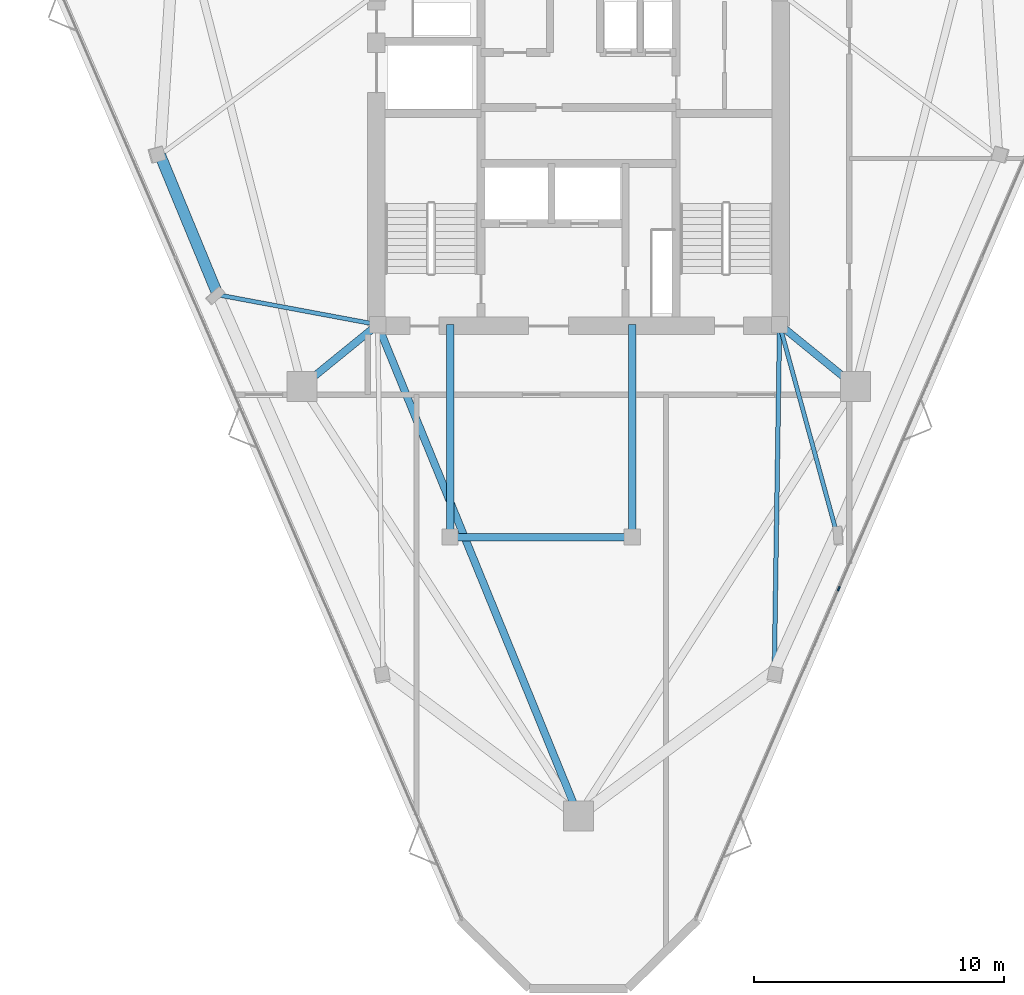
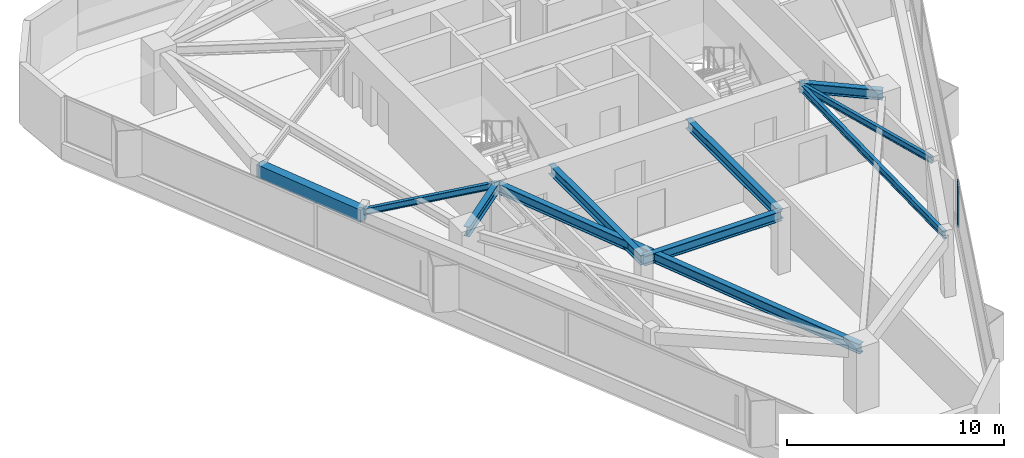
# One storey, part 3 of 12: 10 beams, 1 member, 1 element without a shape of its own.
"""IFC4 building model written with IfcOpenShell, lengths in metres."""

from ifc_helpers import new_model, si_unit, direction, frame, origin, origin_2d, place, context, subcontext, project, spatial, rectangle, i_section, extrude, material, layer, layer_set, material_profile, profile_set, type_object, element, aggregate, save


model = new_model("IFC4")

# Units and contexts
model_context = context("Model", 3, precision=1e-05, world=origin(), true_north=direction((0.0, 1.0)))
body_context = subcontext(model_context, "Body", "Model", "MODEL_VIEW")
ifc_project = project(units=[si_unit("LENGTHUNIT", "METRE"), si_unit("AREAUNIT", "SQUARE_METRE"), si_unit("VOLUMEUNIT", "CUBIC_METRE"), si_unit("PLANEANGLEUNIT", "RADIAN"), si_unit("MASSUNIT", "GRAM", prefix="KILO")], contexts=[model_context])

# Site, building, storey
site_placement = place(None, origin())
site = spatial("IfcSite", under=ifc_project, at=site_placement, CompositionType="ELEMENT")
building_placement = place(site_placement, origin())
building = spatial("IfcBuilding", under=site, at=building_placement, Name="Talyreon Biosciences Tower", CompositionType="ELEMENT")
storey_placement = place(building_placement, frame((0.0, 0.0, 268.10009765625)))
storey = spatial("IfcBuildingStorey", under=building, at=storey_placement, Name="L71", CompositionType="ELEMENT", Elevation=268.10009765625)

# Curtain wall, member
ifc_material_1 = material(Name="Thermally broken aluminium and low-E glazing", Category="aluminium")
ifc_layer = layer(ifc_material_1, 0.175048828125)
ifc_layer_set = layer_set([ifc_layer], Name="Thermally broken aluminium and low-E glazing")
curtain_wall_type = type_object("IfcCurtainWallType", Name="CurtainWall_Zone5CompLab", PredefinedType="NOTDEFINED", material=ifc_layer_set)
curtain_wall_placement = place(storey_placement, origin())
curtain_wall = element("IfcCurtainWall", 1, at=curtain_wall_placement, inside=storey, type_object=curtain_wall_type, Name="L71 Unitised Curtain Wall FCW-L71-08", PredefinedType="NOTDEFINED")
ifc_material_2 = material(Name="Anodised thermally broken aluminium", Category="aluminium")
ifc_material_profile_1 = material_profile(ifc_material_2, rectangle(XDim=0.06494140625, YDim=0.179931640625, at=origin_2d()), Name="ALUM MULLION 65x180")
ifc_profile_set_1 = profile_set([ifc_material_profile_1], Name="Anodised thermally broken aluminium")
member_type = type_object("IfcMemberType", Name="CWMullion_65x180", PredefinedType="MULLION", material=ifc_profile_set_1)
member_placement = place(storey_placement, frame((76.423828125, 50.77490234375, 0.809814453125), z_axis=(0.0, 0.0, 1.0), x_axis=(0.917867616895, -0.396886681377, 0.0)))
member = element("IfcMember", 2, at=member_placement, type_object=member_type, Name="CW6 mullion 3", PredefinedType="MULLION", context=body_context, shape_type="SweptSolid", body=[
    extrude(rectangle(XDim=0.06494140625, YDim=0.179931640625, at=origin_2d()), origin(), (0.0, 0.0, 1.0), 2.590087890625),
])
aggregate(curtain_wall, [member])

# Beams
ifc_material_3 = material(Name="Precast concrete C45/55", Category="concrete")
ifc_material_profile_2 = material_profile(ifc_material_3, rectangle(XDim=0.449951171875, YDim=0.699951171875, at=origin_2d()), Name="RCB 450x700")
ifc_profile_set_2 = profile_set([ifc_material_profile_2], Name="Precast concrete C45/55")
beam_type_1 = type_object("IfcBeamType", Name="ExpressedSpandrel_450x700", PredefinedType="SPANDREL", material=ifc_profile_set_2)
beam_1_placement = place(storey_placement, frame((49.231201171875, 68.14501953125, 3.0498046875), z_axis=(0.3816576269, -0.924303768157, 0.0), x_axis=(0.924303768157, 0.3816576269, 0.0)))
element("IfcBeam", 3, at=beam_1_placement, inside=storey, type_object=beam_type_1, Name="L71 Expressed Horizontal Concrete Spandrel 10", PredefinedType="SPANDREL", context=body_context, shape_type="SweptSolid", body=[
    extrude(rectangle(XDim=0.449951171875, YDim=0.699951171875, at=origin_2d()), origin(), (0.0, 0.0, 1.0), 6.058349609375),
])
ifc_material_4 = material(Name="Steel SM355", Category="steel")
ifc_material_profile_3 = material_profile(ifc_material_4, i_section(OverallWidth=0.300048828125, OverallDepth=0.550048828125, WebThickness=0.014892578125, FlangeThickness=0.029052734375, FilletRadius=0.027099609375, at=origin_2d()), Name="HE550B")
ifc_profile_set_3 = profile_set([ifc_material_profile_3], Name="Steel SM355")
beam_type_2 = type_object("IfcBeamType", Name="SteelBeam_HE550B", PredefinedType="BEAM", material=ifc_profile_set_3)
beam_2_placement = place(storey_placement, frame((57.949951171875, 61.35009765625, 3.125), z_axis=(0.378547014545, -0.925582064314, 0.0), x_axis=(0.925582064314, 0.378547014545, 0.0)))
element("IfcBeam", 4, at=beam_2_placement, inside=storey, type_object=beam_type_2, Name="L71 Radial Primary Girder 1", PredefinedType="BEAM", context=body_context, shape_type="SweptSolid", body=[
    extrude(i_section(OverallWidth=0.300048828125, OverallDepth=0.550048828125, WebThickness=0.014892578125, FlangeThickness=0.029052734375, FilletRadius=0.027099609375, at=origin_2d()), origin(), (0.0, 0.0, 1.0), 21.265625),
])
for number, where, z_axis, x_axis, name in (
    (5, (74.050048828125, 61.35009765625, 3.125), (0.775755154013, -0.631034025249, 0.0), (0.631034025249, 0.775755154013, 0.0), "L71 Radial Primary Girder 2"),
    (6, (57.949951171875, 61.35009765625, 3.125), (-0.775755154013, -0.631034025249, 0.0), (0.631034025249, -0.775755154013, 0.0), "L71 Radial Primary Girder 6"),
):
    element("IfcBeam", number, at=place(storey_placement, frame(where, z_axis=z_axis, x_axis=x_axis)), inside=storey, type_object=beam_type_2, Name=name, PredefinedType="BEAM", context=body_context, shape_type="SweptSolid", body=[
        extrude(i_section(OverallWidth=0.300048828125, OverallDepth=0.550048828125, WebThickness=0.014892578125, FlangeThickness=0.029052734375, FilletRadius=0.027099609375, at=origin_2d()), origin(), (0.0, 0.0, 1.0), 3.913818359375),
    ])
beam_3_placement = place(storey_placement, frame((60.85009765625, 52.840087890625, 3.125), z_axis=(1.0, 0.0, 0.0), x_axis=(0.0, 1.0, 0.0)))
element("IfcBeam", 7, at=beam_3_placement, inside=storey, type_object=beam_type_2, Name="L71 Crown Shaft Spine Girder S", PredefinedType="BEAM", context=body_context, shape_type="SweptSolid", body=[
    extrude(i_section(OverallWidth=0.300048828125, OverallDepth=0.550048828125, WebThickness=0.014892578125, FlangeThickness=0.029052734375, FilletRadius=0.027099609375, at=origin_2d()), origin(), (0.0, 0.0, 1.0), 7.2998046875),
])
for number, where, z_axis, x_axis, name in (
    (8, (60.85009765625, 52.840087890625, 3.125), (0.0, 1.0, 0.0), (-1.0, 0.0, 0.0), "L71 Crown Shaft Tie Girder W"),
    (9, (68.14990234375, 52.840087890625, 3.125), (0.0, 1.0, 0.0), (-1.0, 0.0, 0.0), "L71 Crown Shaft Tie Girder E"),
):
    element("IfcBeam", number, at=place(storey_placement, frame(where, z_axis=z_axis, x_axis=x_axis)), inside=storey, type_object=beam_type_2, Name=name, PredefinedType="BEAM", context=body_context, shape_type="SweptSolid", body=[
        extrude(i_section(OverallWidth=0.300048828125, OverallDepth=0.550048828125, WebThickness=0.014892578125, FlangeThickness=0.029052734375, FilletRadius=0.027099609375, at=origin_2d()), origin(), (0.0, 0.0, 1.0), 8.510009765625),
    ])
ifc_material_profile_4 = material_profile(ifc_material_4, i_section(OverallWidth=0.169921875, OverallDepth=0.360107421875, WebThickness=0.008056640625, FlangeThickness=0.0126953125, FilletRadius=0.01806640625, at=origin_2d()), Name="IPE360")
ifc_profile_set_4 = profile_set([ifc_material_profile_4], Name="Steel SM355")
beam_type_3 = type_object("IfcBeamType", Name="SteelJoist_IPE360", PredefinedType="JOIST", material=ifc_profile_set_4)
beam_4_placement = place(storey_placement, frame((74.050048828125, 61.35009765625, 3.219970703125), z_axis=(0.264324034993, -0.96443392958, 0.0), x_axis=(0.96443392958, 0.264324034993, 0.0)))
element("IfcBeam", 10, at=beam_4_placement, inside=storey, type_object=beam_type_3, Name="L71 Radial Composite Floor Joist PL-SE", PredefinedType="JOIST", context=body_context, shape_type="SweptSolid", body=[
    extrude(i_section(OverallWidth=0.169921875, OverallDepth=0.360107421875, WebThickness=0.008056640625, FlangeThickness=0.0126953125, FilletRadius=0.01806640625, at=origin_2d()), origin(), (0.0, 0.0, 1.0), 8.644287109375),
])
beam_5_placement = place(storey_placement, frame((57.949951171875, 61.35009765625, 3.219970703125), z_axis=(-0.983042676196, 0.183376925421, 0.0), x_axis=(-0.183376925421, -0.983042676196, 0.0)))
element("IfcBeam", 11, at=beam_5_placement, inside=storey, type_object=beam_type_3, Name="L71 Radial Composite Floor Joist PL-SW", PredefinedType="JOIST", context=body_context, shape_type="SweptSolid", body=[
    extrude(i_section(OverallWidth=0.169921875, OverallDepth=0.360107421875, WebThickness=0.008056640625, FlangeThickness=0.0126953125, FilletRadius=0.01806640625, at=origin_2d()), origin(), (0.0, 0.0, 1.0), 6.51708984375),
])
ifc_material_profile_5 = material_profile(ifc_material_4, i_section(OverallWidth=0.179931640625, OverallDepth=0.39990234375, WebThickness=0.008544921875, FlangeThickness=0.013427734375, FilletRadius=0.02099609375, at=origin_2d()), Name="IPE400")
ifc_profile_set_5 = profile_set([ifc_material_profile_5], Name="Steel SM355")
beam_type_4 = type_object("IfcBeamType", Name="SteelJoist_IPE400", PredefinedType="JOIST", material=ifc_profile_set_5)
beam_6_placement = place(storey_placement, frame((74.050048828125, 61.35009765625, 3.199951171875), z_axis=(-0.015238104402, -0.999883893347, 0.0), x_axis=(0.999883893347, -0.015238104402, 0.0)))
element("IfcBeam", 12, at=beam_6_placement, inside=storey, type_object=beam_type_4, Name="L71 Radial Composite Floor Joist PC-SE1", PredefinedType="JOIST", context=body_context, shape_type="SweptSolid", body=[
    extrude(i_section(OverallWidth=0.179931640625, OverallDepth=0.39990234375, WebThickness=0.008544921875, FlangeThickness=0.013427734375, FilletRadius=0.02099609375, at=origin_2d()), origin(), (0.0, 0.0, 1.0), 13.85888671875),
])

save(model, "model.ifc")
